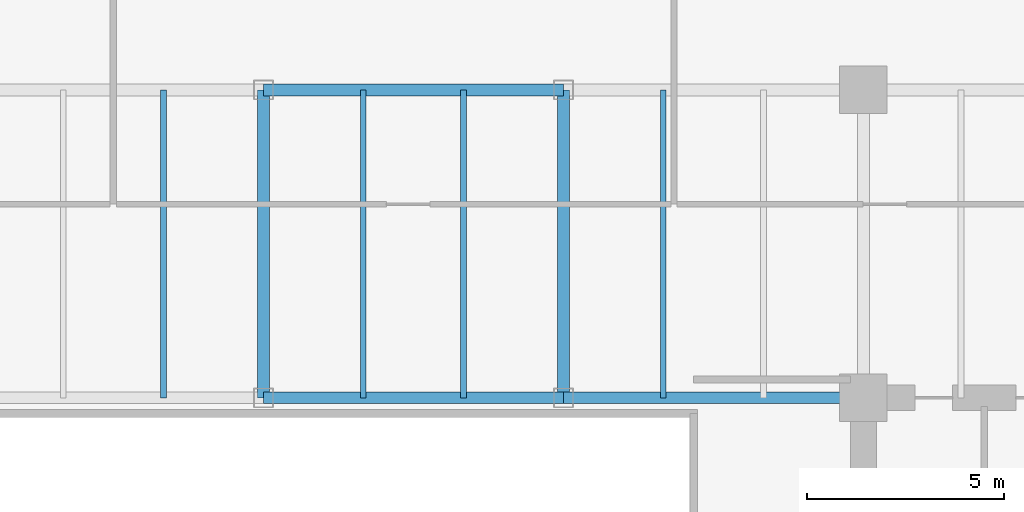
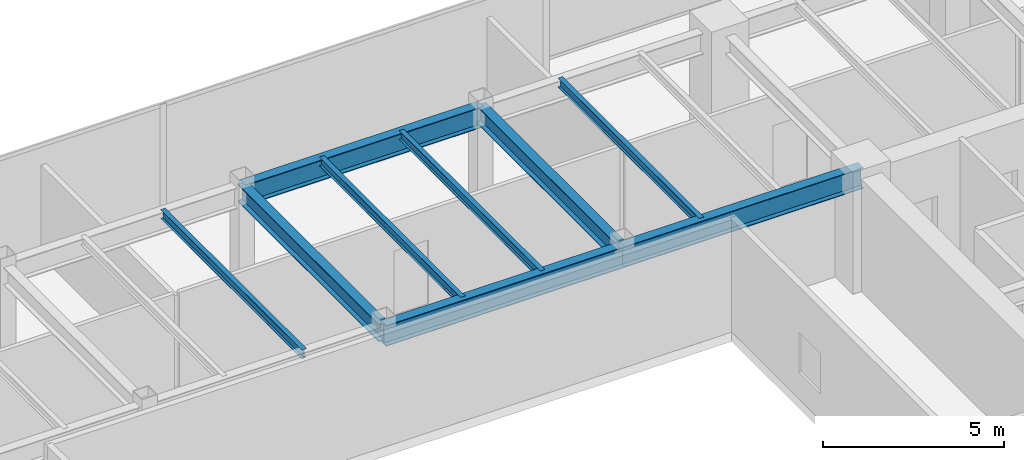
# One storey, part 17 of 31: 9 beams.
"""IFC4 building model written with IfcOpenShell, lengths in metres."""

from ifc_helpers import new_model, si_unit, direction, frame, origin, origin_2d, place, context, subcontext, project, spatial, i_section, extrude, source, transform, mapped, material, material_profile, profile_set, type_object, type_shapes, element, save


model = new_model("IFC4")

# Units and contexts
model_context = context("Model", 3, precision=1e-05, world=origin(), true_north=direction((0.0, 1.0)))
body_context = subcontext(model_context, "Body", "Model", "MODEL_VIEW")
ifc_project = project(units=[si_unit("LENGTHUNIT", "METRE"), si_unit("AREAUNIT", "SQUARE_METRE"), si_unit("VOLUMEUNIT", "CUBIC_METRE"), si_unit("PLANEANGLEUNIT", "RADIAN"), si_unit("MASSUNIT", "GRAM", prefix="KILO")], contexts=[model_context])

# Site, building, storey
site_placement = place(None, origin())
site = spatial("IfcSite", under=ifc_project, at=site_placement, CompositionType="ELEMENT")
building_placement = place(site_placement, origin())
building = spatial("IfcBuilding", under=site, at=building_placement, Name="Haelvirn Gate Laboratories", CompositionType="ELEMENT")
storey_placement = place(building_placement, frame((0.0, 0.0, 154.300048828125)))
storey = spatial("IfcBuildingStorey", under=building, at=storey_placement, Name="L37", CompositionType="ELEMENT", Elevation=154.300048828125)

# Beams
ifc_material = material(Name="Steel SM355", Category="steel")
ifc_material_profile_1 = material_profile(ifc_material, i_section(OverallWidth=0.300048828125, OverallDepth=0.699951171875, WebThickness=0.012939453125, FlangeThickness=0.02392578125, at=origin_2d()), Name="H-700x300x13x24")
ifc_profile_set_1 = profile_set([ifc_material_profile_1], Name="Steel SM355")
beam_type_1 = type_object("IfcBeamType", Name="BM-G-700", PredefinedType="BEAM", material=ifc_profile_set_1)
shared_shape_1 = source(origin(), body_context, "Body", "SweptSolid", [
    extrude(i_section(OverallWidth=0.300048828125, OverallDepth=0.699951171875, WebThickness=0.012939453125, FlangeThickness=0.02392578125, at=origin_2d()), origin(), (0.0, 0.0, 1.0), 7.60009765625),
])
type_shapes(beam_type_1, [shared_shape_1])
for number, where, z_axis, x_axis, name in (
    (1, (37.39990234375, 33.800048828125, 3.43994140625), (1.0, 0.0, 0.0), (0.0, 1.0, 0.0), "L37 Primary Girder Y33.8 (37.4-45.0)"),
    (2, (45.0, 33.800048828125, 3.43994140625), (1.0, 0.0, 0.0), (0.0, 1.0, 0.0), "L37 Primary Girder Y33.8 (45.0-52.6)"),
    (3, (37.39990234375, 41.60009765625, 3.43994140625), (1.0, 0.0, 0.0), (0.0, 1.0, 0.0), "L37 Primary Girder Y41.6 (37.4-45.0)"),
):
    element("IfcBeam", number, at=place(storey_placement, frame(where, z_axis=z_axis, x_axis=x_axis)), inside=storey, type_object=beam_type_1, Name=name, PredefinedType="BEAM", context=body_context, shape_type="MappedRepresentation", body=[
        mapped(shared_shape_1, transform((0.0, 0.0, 0.0), scale=1.0)),
    ])
ifc_material_profile_2 = material_profile(ifc_material, i_section(OverallWidth=0.14990234375, OverallDepth=0.300048828125, WebThickness=0.006591796875, FlangeThickness=0.009033203125, at=origin_2d()), Name="H-300x150x6.5x9")
ifc_profile_set_2 = profile_set([ifc_material_profile_2], Name="Steel SM355")
beam_type_2 = type_object("IfcBeamType", Name="BM-J-300", PredefinedType="JOIST", material=ifc_profile_set_2)
shared_shape_2 = source(origin(), body_context, "Body", "SweptSolid", [
    extrude(i_section(OverallWidth=0.14990234375, OverallDepth=0.300048828125, WebThickness=0.006591796875, FlangeThickness=0.009033203125, at=origin_2d()), origin(), (0.0, 0.0, 1.0), 7.800048828125),
])
type_shapes(beam_type_2, [shared_shape_2])
for number, where, z_axis, x_axis, name in (
    (4, (34.8701171875, 33.800048828125, 3.639892578125), (0.0, 1.0, 0.0), (-1.0, 0.0, 0.0), "L37 Composite Lab Joist North X34.87"),
    (5, (39.929931640625, 33.800048828125, 3.639892578125), (0.0, 1.0, 0.0), (-1.0, 0.0, 0.0), "L37 Composite Lab Joist North X39.93"),
    (6, (42.469970703125, 33.800048828125, 3.639892578125), (0.0, 1.0, 0.0), (-1.0, 0.0, 0.0), "L37 Composite Lab Joist North X42.47"),
    (7, (47.530029296875, 33.800048828125, 3.639892578125), (0.0, 1.0, 0.0), (-1.0, 0.0, 0.0), "L37 Composite Lab Joist North X47.53"),
):
    element("IfcBeam", number, at=place(storey_placement, frame(where, z_axis=z_axis, x_axis=x_axis)), inside=storey, type_object=beam_type_2, Name=name, PredefinedType="JOIST", context=body_context, shape_type="MappedRepresentation", body=[
        mapped(shared_shape_2, transform((0.0, 0.0, 0.0), scale=1.0)),
    ])
ifc_material_profile_3 = material_profile(ifc_material, i_section(OverallWidth=0.300048828125, OverallDepth=0.587890625, WebThickness=0.011962890625, FlangeThickness=0.02001953125, at=origin_2d()), Name="H-588x300x12x20")
ifc_profile_set_3 = profile_set([ifc_material_profile_3], Name="Steel SM355")
beam_type_3 = type_object("IfcBeamType", Name="BM-G-588", PredefinedType="BEAM", material=ifc_profile_set_3)
shared_shape_3 = source(origin(), body_context, "Body", "SweptSolid", [
    extrude(i_section(OverallWidth=0.300048828125, OverallDepth=0.587890625, WebThickness=0.011962890625, FlangeThickness=0.02001953125, at=origin_2d()), origin(), (0.0, 0.0, 1.0), 7.800048828125),
])
type_shapes(beam_type_3, [shared_shape_3])
for number, where, z_axis, x_axis, name in (
    (8, (37.39990234375, 33.800048828125, 3.495849609375), (0.0, 1.0, 0.0), (-1.0, 0.0, 0.0), "L37 Frame Girder X37.4 (33.8-41.6)"),
    (9, (45.0, 33.800048828125, 3.495849609375), (0.0, 1.0, 0.0), (-1.0, 0.0, 0.0), "L37 Frame Girder X45.0 (33.8-41.6)"),
):
    element("IfcBeam", number, at=place(storey_placement, frame(where, z_axis=z_axis, x_axis=x_axis)), inside=storey, type_object=beam_type_3, Name=name, PredefinedType="BEAM", context=body_context, shape_type="MappedRepresentation", body=[
        mapped(shared_shape_3, transform((0.0, 0.0, 0.0), scale=1.0)),
    ])

save(model, "model.ifc")
